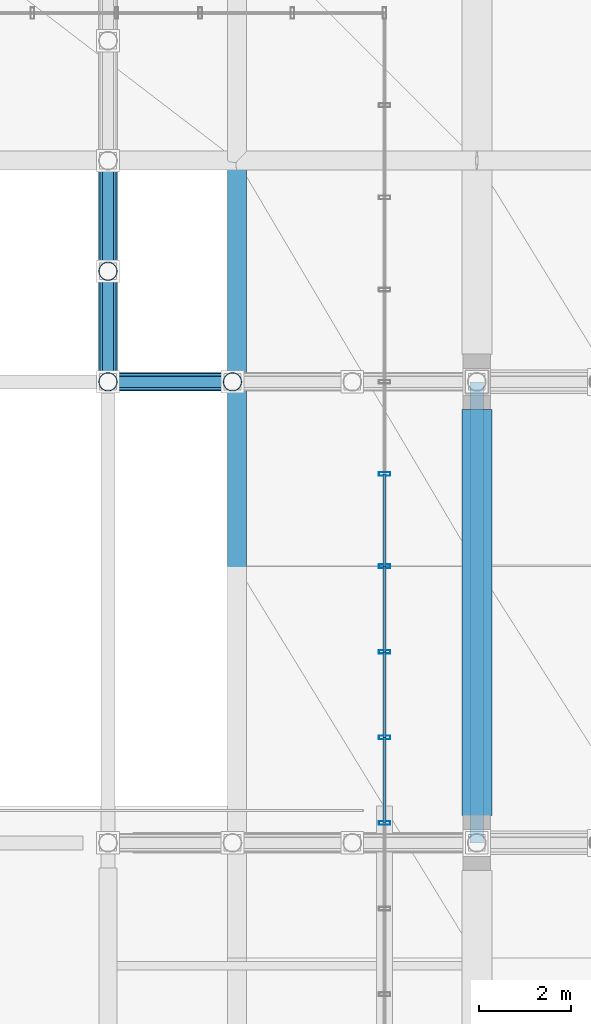
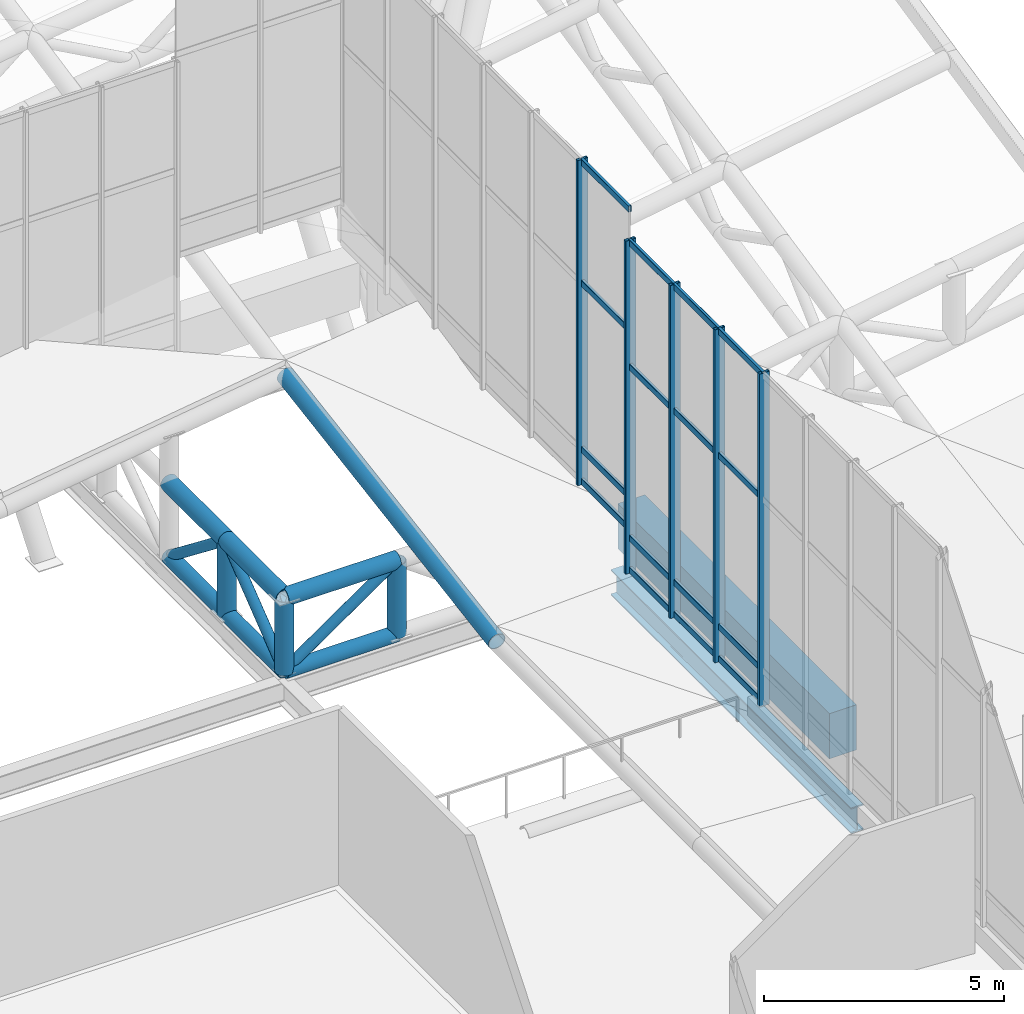
# One storey, part 85 of 137: 34 members, 2 beams, 2 elements without a shape of their own.
"""IFC4 building model written with IfcOpenShell, lengths in metres."""

from ifc_helpers import new_model, si_unit, direction, frame, origin, origin_2d, place, context, subcontext, project, spatial, rectangle, hollow_rectangle, hollow_circle, i_section, extrude, material, layer, layer_set, material_profile, profile_set, type_object, element, aggregate, save


model = new_model("IFC4")

# Units and contexts
model_context = context("Model", 3, precision=1e-05, world=origin(), true_north=direction((0.0, 1.0)))
body_context = subcontext(model_context, "Body", "Model", "MODEL_VIEW")
ifc_project = project(units=[si_unit("LENGTHUNIT", "METRE"), si_unit("AREAUNIT", "SQUARE_METRE"), si_unit("VOLUMEUNIT", "CUBIC_METRE"), si_unit("PLANEANGLEUNIT", "RADIAN"), si_unit("MASSUNIT", "GRAM", prefix="KILO")], contexts=[model_context])

# Site, building, storey
site_placement = place(None, origin())
site = spatial("IfcSite", under=ifc_project, at=site_placement, CompositionType="ELEMENT")
building_placement = place(site_placement, origin())
building = spatial("IfcBuilding", under=site, at=building_placement, Name="Khorjan Park Terminus", CompositionType="ELEMENT")
storey_placement = place(building_placement, frame((0.0, 0.0, 11.4)))
storey = spatial("IfcBuildingStorey", under=building, at=storey_placement, Name="L02", CompositionType="ELEMENT", Elevation=11.4)

# Members
ifc_material_1 = material(Name="Steel S355", Category="steel")
ifc_material_profile_1 = material_profile(ifc_material_1, hollow_circle(Radius=0.1222, WallThickness=0.0125, at=origin_2d()), Name="CHS 244.5x12.5")
ifc_profile_set_1 = profile_set([ifc_material_profile_1], Name="Steel S355")
member_type_1 = type_object("IfcMemberType", Name="MB-BR-245", PredefinedType="BRACE", material=ifc_profile_set_1)
for number, where, z_axis, x_axis, name in (
    (1, (128.0, 78.0, -1.92), (0.0, 0.788820985003, 0.614623017482), (-1.0, 0.0, 0.0), "Lower shell cantilever truss diagonal (11N)"),
    (2, (128.0, 80.4, -0.05), (0.0, 0.788820985003, -0.614623017482), (-1.0, 0.0, 0.0), "Lower shell cantilever truss diagonal (11N)"),
):
    element("IfcMember", number, at=place(storey_placement, frame(where, z_axis=z_axis, x_axis=x_axis)), inside=storey, type_object=member_type_1, Name=name, PredefinedType="BRACE", context=body_context, shape_type="SweptSolid", body=[
        extrude(hollow_circle(Radius=0.1222, WallThickness=0.0125, at=origin_2d()), origin(), (0.0, 0.0, 1.0), 3.0425),
    ])
member_1_placement = place(storey_placement, frame((128.0, 78.0, -1.92), z_axis=(0.822082565391, 0.0, 0.569368295289), x_axis=(0.0, 1.0, 0.0)))
element("IfcMember", 3, at=member_1_placement, inside=storey, type_object=member_type_1, Name="Lower shell W/E truss diagonal (E4)", PredefinedType="BRACE", context=body_context, shape_type="SweptSolid", body=[
    extrude(hollow_circle(Radius=0.1222, WallThickness=0.0125, at=origin_2d()), origin(), (0.0, 0.0, 1.0), 3.2843),
])
ifc_material_profile_2 = material_profile(ifc_material_1, hollow_circle(Radius=0.1778, WallThickness=0.016, at=origin_2d()), Name="CHS 355.6x16")
ifc_profile_set_2 = profile_set([ifc_material_profile_2], Name="Steel S355")
member_type_2 = type_object("IfcMemberType", Name="MB-CH-356", PredefinedType="CHORD", material=ifc_profile_set_2)
for number, where, z_axis, x_axis, name in (
    (4, (128.0, 78.0, -1.92), (0.0, 1.0, 0.0), (-1.0, 0.0, 0.0), "Lower shell cantilever truss bottom chord (11N)"),
    (5, (128.0, 80.4, -1.92), (0.0, 1.0, 0.0), (-1.0, 0.0, 0.0), "Lower shell cantilever truss bottom chord (11N)"),
):
    element("IfcMember", number, at=place(storey_placement, frame(where, z_axis=z_axis, x_axis=x_axis)), inside=storey, type_object=member_type_2, Name=name, PredefinedType="CHORD", context=body_context, shape_type="SweptSolid", body=[
        extrude(hollow_circle(Radius=0.1778, WallThickness=0.016, at=origin_2d()), origin(), (0.0, 0.0, 1.0), 2.4),
    ])
member_2_placement = place(storey_placement, frame((128.0, 78.0, -1.92), z_axis=(1.0, 0.0, 0.0), x_axis=(0.0, 1.0, 0.0)))
element("IfcMember", 6, at=member_2_placement, inside=storey, type_object=member_type_2, Name="Lower shell W/E truss bottom chord (E4)", PredefinedType="CHORD", context=body_context, shape_type="SweptSolid", body=[
    extrude(hollow_circle(Radius=0.1778, WallThickness=0.016, at=origin_2d()), origin(), (0.0, 0.0, 1.0), 2.7),
])
ifc_material_profile_3 = material_profile(ifc_material_1, hollow_circle(Radius=0.2032, WallThickness=0.016, at=origin_2d()), Name="CHS 406.4x16")
ifc_profile_set_3 = profile_set([ifc_material_profile_3], Name="Steel S355")
member_type_3 = type_object("IfcMemberType", Name="MB-CH-406", PredefinedType="CHORD", material=ifc_profile_set_3)
member_3_placement = place(storey_placement, frame((130.8, 74.0, 0.266), z_axis=(0.0, 0.987026084873, 0.160559981875), x_axis=(-1.0, 0.0, 0.0)))
element("IfcMember", 7, at=member_3_placement, inside=storey, type_object=member_type_3, Name="Lower wrapping shell rim chord (146)", PredefinedType="CHORD", context=body_context, shape_type="SweptSolid", body=[
    extrude(hollow_circle(Radius=0.2032, WallThickness=0.016, at=origin_2d()), origin(), (0.0, 0.0, 1.0), 8.9157),
])
for number, where, z_axis, x_axis, name in (
    (8, (128.0, 78.0, -0.05), (0.0, 1.0, 0.0), (-1.0, 0.0, 0.0), "Lower shell cantilever truss top chord (11N)"),
    (9, (128.0, 80.4, -0.05), (0.0, 1.0, 0.0), (-1.0, 0.0, 0.0), "Lower shell cantilever truss top chord (11N)"),
):
    element("IfcMember", number, at=place(storey_placement, frame(where, z_axis=z_axis, x_axis=x_axis)), inside=storey, type_object=member_type_3, Name=name, PredefinedType="CHORD", context=body_context, shape_type="SweptSolid", body=[
        extrude(hollow_circle(Radius=0.2032, WallThickness=0.016, at=origin_2d()), origin(), (0.0, 0.0, 1.0), 2.4),
    ])
member_4_placement = place(storey_placement, frame((128.0, 78.0, -0.05), z_axis=(1.0, 0.0, 0.0), x_axis=(0.0, 1.0, 0.0)))
element("IfcMember", 10, at=member_4_placement, inside=storey, type_object=member_type_3, Name="Lower shell W/E truss top chord (E4)", PredefinedType="CHORD", context=body_context, shape_type="SweptSolid", body=[
    extrude(hollow_circle(Radius=0.2032, WallThickness=0.016, at=origin_2d()), origin(), (0.0, 0.0, 1.0), 2.7),
])
ifc_material_profile_4 = material_profile(ifc_material_1, hollow_circle(Radius=0.2032, WallThickness=0.016, at=origin_2d()), Name="CHS 406.4x16")
ifc_profile_set_4 = profile_set([ifc_material_profile_4], Name="Steel S355")
member_type_4 = type_object("IfcMemberType", Name="MB-ST-406", PredefinedType="STRUT", material=ifc_profile_set_4)
for number, where, z_axis, x_axis, name in (
    (11, (128.0, 78.0, -1.92), (0.0, 0.0, 1.0), (1.0, 0.0, 0.0), "Lower shell cantilever truss post (11N)"),
    (12, (128.0, 80.4, -1.92), (0.0, 0.0, 1.0), (1.0, 0.0, 0.0), "Lower shell cantilever truss post (11N)"),
    (13, (130.7, 78.0, -1.92), (0.0, 0.0, 1.0), (1.0, 0.0, 0.0), "Lower shell W/E truss post (E4)"),
):
    element("IfcMember", number, at=place(storey_placement, frame(where, z_axis=z_axis, x_axis=x_axis)), inside=storey, type_object=member_type_4, Name=name, PredefinedType="STRUT", context=body_context, shape_type="SweptSolid", body=[
        extrude(hollow_circle(Radius=0.2032, WallThickness=0.016, at=origin_2d()), origin(), (0.0, 0.0, 1.0), 1.87),
    ])

# Curtain wall, members
ifc_material_2 = material(Name="Anodized Bronze Aluminium", Category="aluminium")
ifc_layer = layer(ifc_material_2, 0.22)
ifc_layer_set = layer_set([ifc_layer], Name="Anodized Bronze Aluminium")
curtain_wall_type = type_object("IfcCurtainWallType", Name="CW-CONC-CLR", PredefinedType="NOTDEFINED", material=ifc_layer_set)
curtain_wall_1_placement = place(storey_placement, origin())
curtain_wall_1 = element("IfcCurtainWall", 14, at=curtain_wall_1_placement, inside=storey, type_object=curtain_wall_type, Name="Unitized curtain wall CW-CL (CW-V2-E-CLR-03)", PredefinedType="NOTDEFINED")
ifc_material_profile_5 = material_profile(ifc_material_2, hollow_rectangle(XDim=0.08, YDim=0.25, WallThickness=0.005, InnerFilletRadius=0.005, OuterFilletRadius=0.01, at=origin_2d()), Name="ALM 80x250x5")
ifc_profile_set_5 = profile_set([ifc_material_profile_5], Name="Anodized Bronze Aluminium")
member_type_5 = type_object("IfcMemberType", Name="ML-ALM-250", PredefinedType="MULLION", material=ifc_profile_set_5)
member_5_placement = place(storey_placement, frame((134.0, 68.4286, 0.915), z_axis=(0.0, 0.0, 1.0), x_axis=(0.0, 1.0, 0.0)))
member_5 = element("IfcMember", 15, at=member_5_placement, type_object=member_type_5, Name="Curtain-wall mullion ML-25 (CW-V2-E-CLR-03-4)", PredefinedType="MULLION", context=body_context, shape_type="SweptSolid", body=[
    extrude(hollow_rectangle(XDim=0.08, YDim=0.25, WallThickness=0.005, InnerFilletRadius=0.005, OuterFilletRadius=0.01, at=origin_2d()), origin(), (0.0, 0.0, 1.0), 8.4652),
])
member_6_placement = place(storey_placement, frame((134.0, 70.2857, 0.915), z_axis=(0.0, 0.0, 1.0), x_axis=(0.0, 1.0, 0.0)))
member_6 = element("IfcMember", 16, at=member_6_placement, type_object=member_type_5, Name="Curtain-wall mullion ML-25 (CW-V2-E-CLR-03-5)", PredefinedType="MULLION", context=body_context, shape_type="SweptSolid", body=[
    extrude(hollow_rectangle(XDim=0.08, YDim=0.25, WallThickness=0.005, InnerFilletRadius=0.005, OuterFilletRadius=0.01, at=origin_2d()), origin(), (0.0, 0.0, 1.0), 8.4652),
])
member_7_placement = place(storey_placement, frame((134.0, 72.1429, 0.915), z_axis=(0.0, 0.0, 1.0), x_axis=(0.0, 1.0, 0.0)))
member_7 = element("IfcMember", 17, at=member_7_placement, type_object=member_type_5, Name="Curtain-wall mullion ML-25 (CW-V2-E-CLR-03-6)", PredefinedType="MULLION", context=body_context, shape_type="SweptSolid", body=[
    extrude(hollow_rectangle(XDim=0.08, YDim=0.25, WallThickness=0.005, InnerFilletRadius=0.005, OuterFilletRadius=0.01, at=origin_2d()), origin(), (0.0, 0.0, 1.0), 8.4652),
])
member_8_placement = place(storey_placement, frame((134.0, 74.0, 0.915), z_axis=(0.0, 0.0, 1.0), x_axis=(0.0, 1.0, 0.0)))
member_8 = element("IfcMember", 18, at=member_8_placement, type_object=member_type_5, Name="Curtain-wall mullion ML-25 (CW-V2-E-CLR-03-7)", PredefinedType="MULLION", context=body_context, shape_type="SweptSolid", body=[
    extrude(hollow_rectangle(XDim=0.08, YDim=0.25, WallThickness=0.005, InnerFilletRadius=0.005, OuterFilletRadius=0.01, at=origin_2d()), origin(), (0.0, 0.0, 1.0), 8.4652),
])

# Curtain wall, member
curtain_wall_2_placement = place(storey_placement, origin())
curtain_wall_2 = element("IfcCurtainWall", 19, at=curtain_wall_2_placement, inside=storey, type_object=curtain_wall_type, Name="Unitized curtain wall CW-CL (CW-V2-E-CLR-04)", PredefinedType="NOTDEFINED")
member_9_placement = place(storey_placement, frame((134.0, 76.0, 1.9528), z_axis=(0.0, 0.0, 1.0), x_axis=(0.0, 1.0, 0.0)))
member_9 = element("IfcMember", 20, at=member_9_placement, type_object=member_type_5, Name="Curtain-wall mullion ML-25 (CW-V2-E-CLR-04-1)", PredefinedType="MULLION", context=body_context, shape_type="SweptSolid", body=[
    extrude(hollow_rectangle(XDim=0.08, YDim=0.25, WallThickness=0.005, InnerFilletRadius=0.005, OuterFilletRadius=0.01, at=origin_2d()), origin(), (0.0, 0.0, 1.0), 8.2632),
])

# Beams
ifc_material_profile_6 = material_profile(ifc_material_1, i_section(OverallWidth=0.3, OverallDepth=0.65, WebThickness=0.016, FlangeThickness=0.031, FilletRadius=0.027, at=origin_2d()), Name="HEB 650")
ifc_profile_set_6 = profile_set([ifc_material_profile_6], Name="Steel S355")
beam_type_1 = type_object("IfcBeamType", Name="SP-HEB650E", PredefinedType="SPANDREL", material=ifc_profile_set_6)
beam_1_placement = place(storey_placement, frame((136.0, 68.0, -2.425), z_axis=(0.0, 1.0, 0.0), x_axis=(-1.0, 0.0, 0.0)))
element("IfcBeam", 21, at=beam_1_placement, inside=storey, type_object=beam_type_1, Name="Lower shell truss support girder SP-E65 (Y44)", PredefinedType="SPANDREL", context=body_context, shape_type="SweptSolid", body=[
    extrude(i_section(OverallWidth=0.3, OverallDepth=0.65, WebThickness=0.016, FlangeThickness=0.031, FilletRadius=0.027, at=origin_2d()), origin(), (0.0, 0.0, 1.0), 10.0),
])
ifc_material_3 = material(Name="Concrete C50/60", Category="concrete")
ifc_material_profile_7 = material_profile(ifc_material_3, rectangle(XDim=0.65, YDim=1.15, at=origin_2d()), Name="RC 650x1150")
ifc_profile_set_7 = profile_set([ifc_material_profile_7], Name="Concrete C50/60")
beam_type_2 = type_object("IfcBeamType", Name="SP-RC650x1150", PredefinedType="SPANDREL", material=ifc_profile_set_7)
beam_2_placement = place(storey_placement, frame((136.0, 68.595, -0.575), z_axis=(0.0, 1.0, 0.0), x_axis=(-1.0, 0.0, 0.0)))
element("IfcBeam", 22, at=beam_2_placement, inside=storey, type_object=beam_type_2, Name="Concourse lower colonnade ring beam SP-11 (L02-70)", PredefinedType="SPANDREL", context=body_context, shape_type="SweptSolid", body=[
    extrude(rectangle(XDim=0.65, YDim=1.15, at=origin_2d()), origin(), (0.0, 0.0, 1.0), 8.81),
])

# Member
ifc_material_profile_8 = material_profile(ifc_material_2, hollow_rectangle(XDim=0.07, YDim=0.16, WallThickness=0.004, InnerFilletRadius=0.004, OuterFilletRadius=0.008, at=origin_2d()), Name="ALT 70x160x4")
ifc_profile_set_8 = profile_set([ifc_material_profile_8], Name="Anodized Bronze Aluminium")
member_type_6 = type_object("IfcMemberType", Name="TR-ALT-160", PredefinedType="USERDEFINED", material=ifc_profile_set_8)
member_10_placement = place(storey_placement, frame((134.0, 68.4286, 0.99), z_axis=(0.0, 1.0, 0.0), x_axis=(-1.0, 0.0, 0.0)))
member_10 = element("IfcMember", 23, at=member_10_placement, type_object=member_type_6, Name="Curtain-wall transom TR-16 (CW-V2-E-CLR-03-4-1)", ObjectType="TRANSOM", PredefinedType="USERDEFINED", context=body_context, shape_type="SweptSolid", body=[
    extrude(hollow_rectangle(XDim=0.07, YDim=0.16, WallThickness=0.004, InnerFilletRadius=0.004, OuterFilletRadius=0.008, at=origin_2d()), origin(), (0.0, 0.0, 1.0), 1.8571),
])

member_11_placement = place(storey_placement, frame((134.0, 68.4286, 1.8), z_axis=(0.0, 1.0, 0.0), x_axis=(-1.0, 0.0, 0.0)))
member_11 = element("IfcMember", 24, at=member_11_placement, type_object=member_type_6, Name="Curtain-wall transom TR-16 (CW-V2-E-CLR-03-4-2)", ObjectType="TRANSOM", PredefinedType="USERDEFINED", context=body_context, shape_type="SweptSolid", body=[
    extrude(hollow_rectangle(XDim=0.07, YDim=0.16, WallThickness=0.004, InnerFilletRadius=0.004, OuterFilletRadius=0.008, at=origin_2d()), origin(), (0.0, 0.0, 1.0), 1.8571),
])

member_12_placement = place(storey_placement, frame((134.0, 68.4286, 6.155), z_axis=(0.0, 1.0, 0.0), x_axis=(-1.0, 0.0, 0.0)))
member_12 = element("IfcMember", 25, at=member_12_placement, type_object=member_type_6, Name="Curtain-wall transom TR-16 (CW-V2-E-CLR-03-4-3)", ObjectType="TRANSOM", PredefinedType="USERDEFINED", context=body_context, shape_type="SweptSolid", body=[
    extrude(hollow_rectangle(XDim=0.07, YDim=0.16, WallThickness=0.004, InnerFilletRadius=0.004, OuterFilletRadius=0.008, at=origin_2d()), origin(), (0.0, 0.0, 1.0), 1.8571),
])

member_13_placement = place(storey_placement, frame((134.0, 68.4286, 9.3052), z_axis=(0.0, 1.0, 0.0), x_axis=(-1.0, 0.0, 0.0)))
member_13 = element("IfcMember", 26, at=member_13_placement, type_object=member_type_6, Name="Curtain-wall transom TR-16 (CW-V2-E-CLR-03-4-4)", ObjectType="TRANSOM", PredefinedType="USERDEFINED", context=body_context, shape_type="SweptSolid", body=[
    extrude(hollow_rectangle(XDim=0.07, YDim=0.16, WallThickness=0.004, InnerFilletRadius=0.004, OuterFilletRadius=0.008, at=origin_2d()), origin(), (0.0, 0.0, 1.0), 1.8571),
])

member_14_placement = place(storey_placement, frame((134.0, 70.2857, 0.99), z_axis=(0.0, 1.0, 0.0), x_axis=(-1.0, 0.0, 0.0)))
member_14 = element("IfcMember", 27, at=member_14_placement, type_object=member_type_6, Name="Curtain-wall transom TR-16 (CW-V2-E-CLR-03-5-1)", ObjectType="TRANSOM", PredefinedType="USERDEFINED", context=body_context, shape_type="SweptSolid", body=[
    extrude(hollow_rectangle(XDim=0.07, YDim=0.16, WallThickness=0.004, InnerFilletRadius=0.004, OuterFilletRadius=0.008, at=origin_2d()), origin(), (0.0, 0.0, 1.0), 1.8572),
])

member_15_placement = place(storey_placement, frame((134.0, 70.2857, 1.8), z_axis=(0.0, 1.0, 0.0), x_axis=(-1.0, 0.0, 0.0)))
member_15 = element("IfcMember", 28, at=member_15_placement, type_object=member_type_6, Name="Curtain-wall transom TR-16 (CW-V2-E-CLR-03-5-2)", ObjectType="TRANSOM", PredefinedType="USERDEFINED", context=body_context, shape_type="SweptSolid", body=[
    extrude(hollow_rectangle(XDim=0.07, YDim=0.16, WallThickness=0.004, InnerFilletRadius=0.004, OuterFilletRadius=0.008, at=origin_2d()), origin(), (0.0, 0.0, 1.0), 1.8572),
])

member_16_placement = place(storey_placement, frame((134.0, 70.2857, 6.155), z_axis=(0.0, 1.0, 0.0), x_axis=(-1.0, 0.0, 0.0)))
member_16 = element("IfcMember", 29, at=member_16_placement, type_object=member_type_6, Name="Curtain-wall transom TR-16 (CW-V2-E-CLR-03-5-3)", ObjectType="TRANSOM", PredefinedType="USERDEFINED", context=body_context, shape_type="SweptSolid", body=[
    extrude(hollow_rectangle(XDim=0.07, YDim=0.16, WallThickness=0.004, InnerFilletRadius=0.004, OuterFilletRadius=0.008, at=origin_2d()), origin(), (0.0, 0.0, 1.0), 1.8572),
])

member_17_placement = place(storey_placement, frame((134.0, 70.2857, 9.3052), z_axis=(0.0, 1.0, 0.0), x_axis=(-1.0, 0.0, 0.0)))
member_17 = element("IfcMember", 30, at=member_17_placement, type_object=member_type_6, Name="Curtain-wall transom TR-16 (CW-V2-E-CLR-03-5-4)", ObjectType="TRANSOM", PredefinedType="USERDEFINED", context=body_context, shape_type="SweptSolid", body=[
    extrude(hollow_rectangle(XDim=0.07, YDim=0.16, WallThickness=0.004, InnerFilletRadius=0.004, OuterFilletRadius=0.008, at=origin_2d()), origin(), (0.0, 0.0, 1.0), 1.8572),
])

member_18_placement = place(storey_placement, frame((134.0, 72.1429, 0.99), z_axis=(0.0, 1.0, 0.0), x_axis=(-1.0, 0.0, 0.0)))
member_18 = element("IfcMember", 31, at=member_18_placement, type_object=member_type_6, Name="Curtain-wall transom TR-16 (CW-V2-E-CLR-03-6-1)", ObjectType="TRANSOM", PredefinedType="USERDEFINED", context=body_context, shape_type="SweptSolid", body=[
    extrude(hollow_rectangle(XDim=0.07, YDim=0.16, WallThickness=0.004, InnerFilletRadius=0.004, OuterFilletRadius=0.008, at=origin_2d()), origin(), (0.0, 0.0, 1.0), 1.8571),
])

member_19_placement = place(storey_placement, frame((134.0, 72.1429, 1.8), z_axis=(0.0, 1.0, 0.0), x_axis=(-1.0, 0.0, 0.0)))
member_19 = element("IfcMember", 32, at=member_19_placement, type_object=member_type_6, Name="Curtain-wall transom TR-16 (CW-V2-E-CLR-03-6-2)", ObjectType="TRANSOM", PredefinedType="USERDEFINED", context=body_context, shape_type="SweptSolid", body=[
    extrude(hollow_rectangle(XDim=0.07, YDim=0.16, WallThickness=0.004, InnerFilletRadius=0.004, OuterFilletRadius=0.008, at=origin_2d()), origin(), (0.0, 0.0, 1.0), 1.8571),
])

member_20_placement = place(storey_placement, frame((134.0, 72.1429, 6.155), z_axis=(0.0, 1.0, 0.0), x_axis=(-1.0, 0.0, 0.0)))
member_20 = element("IfcMember", 33, at=member_20_placement, type_object=member_type_6, Name="Curtain-wall transom TR-16 (CW-V2-E-CLR-03-6-3)", ObjectType="TRANSOM", PredefinedType="USERDEFINED", context=body_context, shape_type="SweptSolid", body=[
    extrude(hollow_rectangle(XDim=0.07, YDim=0.16, WallThickness=0.004, InnerFilletRadius=0.004, OuterFilletRadius=0.008, at=origin_2d()), origin(), (0.0, 0.0, 1.0), 1.8571),
])

member_21_placement = place(storey_placement, frame((134.0, 72.1429, 9.3052), z_axis=(0.0, 1.0, 0.0), x_axis=(-1.0, 0.0, 0.0)))
member_21 = element("IfcMember", 34, at=member_21_placement, type_object=member_type_6, Name="Curtain-wall transom TR-16 (CW-V2-E-CLR-03-6-4)", ObjectType="TRANSOM", PredefinedType="USERDEFINED", context=body_context, shape_type="SweptSolid", body=[
    extrude(hollow_rectangle(XDim=0.07, YDim=0.16, WallThickness=0.004, InnerFilletRadius=0.004, OuterFilletRadius=0.008, at=origin_2d()), origin(), (0.0, 0.0, 1.0), 1.8571),
])

aggregate(curtain_wall_1, [member_5, member_6, member_7, member_8, member_10, member_11, member_12, member_13, member_14, member_15, member_16, member_17, member_18, member_19, member_20, member_21])

member_22_placement = place(storey_placement, frame((134.0, 74.0, 2.0278), z_axis=(0.0, 1.0, 0.0), x_axis=(-1.0, 0.0, 0.0)))
member_22 = element("IfcMember", 35, at=member_22_placement, type_object=member_type_6, Name="Curtain-wall transom TR-16 (CW-V2-E-CLR-04-0-1)", ObjectType="TRANSOM", PredefinedType="USERDEFINED", context=body_context, shape_type="SweptSolid", body=[
    extrude(hollow_rectangle(XDim=0.07, YDim=0.16, WallThickness=0.004, InnerFilletRadius=0.004, OuterFilletRadius=0.008, at=origin_2d()), origin(), (0.0, 0.0, 1.0), 2.0),
])

member_23_placement = place(storey_placement, frame((134.0, 74.0, 2.8378), z_axis=(0.0, 1.0, 0.0), x_axis=(-1.0, 0.0, 0.0)))
member_23 = element("IfcMember", 36, at=member_23_placement, type_object=member_type_6, Name="Curtain-wall transom TR-16 (CW-V2-E-CLR-04-0-2)", ObjectType="TRANSOM", PredefinedType="USERDEFINED", context=body_context, shape_type="SweptSolid", body=[
    extrude(hollow_rectangle(XDim=0.07, YDim=0.16, WallThickness=0.004, InnerFilletRadius=0.004, OuterFilletRadius=0.008, at=origin_2d()), origin(), (0.0, 0.0, 1.0), 2.0),
])

member_24_placement = place(storey_placement, frame((134.0, 74.0, 7.0676), z_axis=(0.0, 1.0, 0.0), x_axis=(-1.0, 0.0, 0.0)))
member_24 = element("IfcMember", 37, at=member_24_placement, type_object=member_type_6, Name="Curtain-wall transom TR-16 (CW-V2-E-CLR-04-0-3)", ObjectType="TRANSOM", PredefinedType="USERDEFINED", context=body_context, shape_type="SweptSolid", body=[
    extrude(hollow_rectangle(XDim=0.07, YDim=0.16, WallThickness=0.004, InnerFilletRadius=0.004, OuterFilletRadius=0.008, at=origin_2d()), origin(), (0.0, 0.0, 1.0), 2.0),
])

member_25_placement = place(storey_placement, frame((134.0, 74.0, 10.141), z_axis=(0.0, 1.0, 0.0), x_axis=(-1.0, 0.0, 0.0)))
member_25 = element("IfcMember", 38, at=member_25_placement, type_object=member_type_6, Name="Curtain-wall transom TR-16 (CW-V2-E-CLR-04-0-4)", ObjectType="TRANSOM", PredefinedType="USERDEFINED", context=body_context, shape_type="SweptSolid", body=[
    extrude(hollow_rectangle(XDim=0.07, YDim=0.16, WallThickness=0.004, InnerFilletRadius=0.004, OuterFilletRadius=0.008, at=origin_2d()), origin(), (0.0, 0.0, 1.0), 2.0),
])

aggregate(curtain_wall_2, [member_9, member_22, member_23, member_24, member_25])

save(model, "model.ifc")
